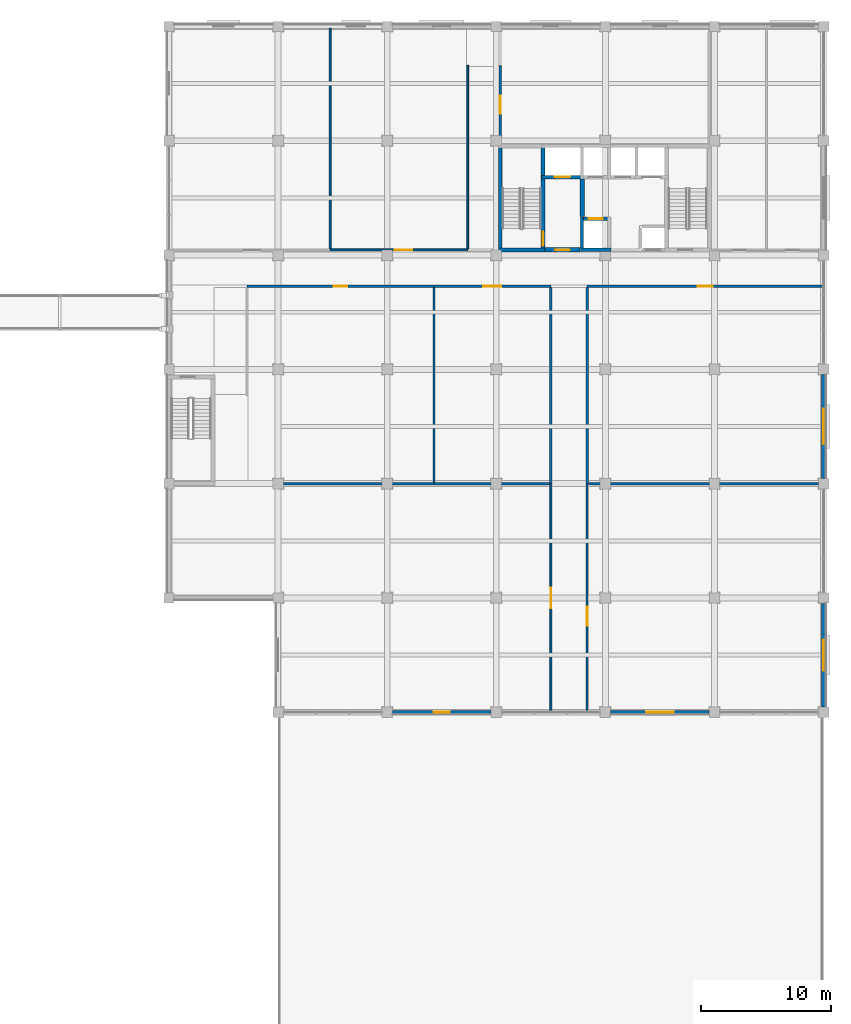
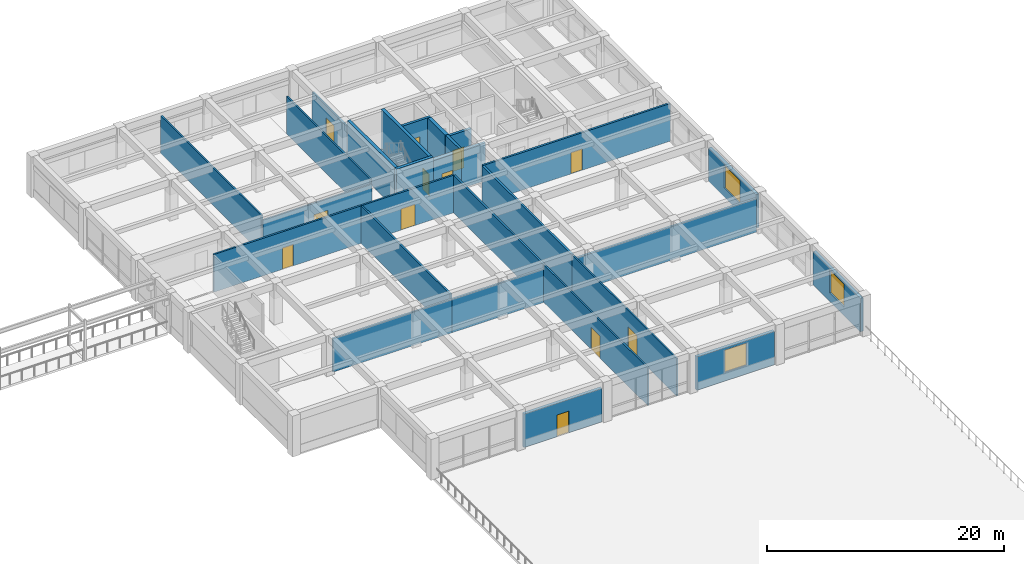
# One storey, part 39 of 57: 28 walls, 12 doors, 3 windows, 15 openings.
"""IFC4 building model written with IfcOpenShell, lengths in metres."""

from ifc_helpers import new_model, si_unit, direction, frame, frame_2d, origin, place, context, subcontext, project, spatial, rectangle, extrude, material, layer, layer_set, type_object, element, fill, save


model = new_model("IFC4")

# Units and contexts
model_context = context("Model", 3, precision=1e-05, world=origin(), true_north=direction((0.0, 1.0)))
body_context = subcontext(model_context, "Body", "Model", "MODEL_VIEW")
ifc_project = project(units=[si_unit("LENGTHUNIT", "METRE"), si_unit("AREAUNIT", "SQUARE_METRE"), si_unit("VOLUMEUNIT", "CUBIC_METRE"), si_unit("PLANEANGLEUNIT", "RADIAN"), si_unit("MASSUNIT", "GRAM", prefix="KILO")], contexts=[model_context])

# Site, building, storey
site_placement = place(None, origin())
site = spatial("IfcSite", under=ifc_project, at=site_placement, CompositionType="ELEMENT")
building_placement = place(site_placement, origin())
building = spatial("IfcBuilding", under=site, at=building_placement, Name="Kemercrest Conservatory and Botanical Centre", CompositionType="ELEMENT")
storey_placement = place(building_placement, frame((0.0, 0.0, 4.800048828125)))
storey = spatial("IfcBuildingStorey", under=building, at=storey_placement, Name="L01", CompositionType="ELEMENT", Elevation=4.800048828125)

# Wall
ifc_material_1 = material(Name="Concrete C50/60", Category="concrete")
ifc_layer_1 = layer(ifc_material_1, 0.35009765625)
ifc_layer_set_1 = layer_set([ifc_layer_1], Name="Concrete C50/60")
wall_type_1 = type_object("IfcWallType", Name="CW-CORE", PredefinedType="SHEAR", material=ifc_layer_set_1)
wall_1_placement = place(storey_placement, frame((157.39990234375, 107.75, 0.0), z_axis=(0.0, 0.0, 1.0), x_axis=(0.0, 1.0, 0.0)))
element("IfcWall", 1, at=wall_1_placement, inside=storey, type_object=wall_type_1, Name="Firefighting lift lobby 2-hour separation shear wall", PredefinedType="SHEAR", context=body_context, shape_type="SweptSolid", body=[
    extrude(rectangle(XDim=2.89990234375, YDim=0.35009765625, at=frame_2d((1.449951171875, 0.0))), origin(), (0.0, 0.0, 1.0), 3.8798828125),
])

# Wall, opening, door
wall_2_placement = place(storey_placement, frame((154.550048828125, 105.199951171875, 0.0), z_axis=(0.0, 0.0, 1.0), x_axis=(1.0, 0.0, 0.0)))
wall_2 = element("IfcWall", 2, at=wall_2_placement, inside=storey, type_object=wall_type_1, Name="Firefighting lift lobby south shear wall", PredefinedType="SHEAR", context=body_context, shape_type="SweptSolid", body=[
    extrude(rectangle(XDim=2.699951171875, YDim=0.35009765625, at=frame_2d((1.35009765625, 0.0))), origin(), (0.0, 0.0, 1.0), 3.8798828125),
])
opening_1_placement = place(wall_2_placement, frame((0.800048828125, 0.0, 0.0)))
opening_1 = element("IfcOpeningElement", 3, at=opening_1_placement, cuts=wall_2, Name="Opening D073", PredefinedType="OPENING", context=body_context, shape_type="SweptSolid", body=[
    extrude(rectangle(XDim=1.10009765625, YDim=2.199951171875, at=frame_2d((0.550048828125, 1.10009765625))), frame((0.0, 0.18505859375, 0.0), z_axis=(0.0, -1.0, 0.0), x_axis=(1.0, 0.0, 0.0)), (0.0, 0.0, 1.0), 0.3701171875),
])
ifc_material_2 = material(Name="Powder-coated galvanized steel and fire-rated vision glass", Category="steel")
door_type_1 = type_object("IfcDoorType", Name="DT-FD90", OperationType="NOTDEFINED", PredefinedType="DOOR", material=ifc_material_2)
door_1_placement = place(opening_1_placement, origin())
door_1 = element("IfcDoor", 4, at=door_1_placement, inside=storey, type_object=door_type_1, Name="Firefighting lift lobby corridor fire door D073", OperationType="SINGLE_SWING_LEFT", OverallHeight=2.199951171875, OverallWidth=1.10009765625, PredefinedType="DOOR", context=body_context, shape_type="SweptSolid", body=[
    extrude(rectangle(XDim=1.10009765625, YDim=2.199951171875, at=frame_2d((0.550048828125, 1.10009765625))), frame((0.0, 0.02490234375, 0.0), z_axis=(0.0, -1.0, 0.0), x_axis=(1.0, 0.0, 0.0)), (0.0, 0.0, 1.0), 0.050048828125),
])
fill(opening_1, door_1)

# Walls
ifc_layer_2 = layer(ifc_material_1, 0.300048828125)
ifc_layer_set_2 = layer_set([ifc_layer_2], Name="Concrete C50/60")
wall_type_2 = type_object("IfcWallType", Name="CW-STAIR", PredefinedType="SHEAR", material=ifc_layer_set_2)
wall_3_placement = place(storey_placement, frame((150.949951171875, 105.199951171875, 0.0), z_axis=(0.0, 0.0, 1.0), x_axis=(1.0, 0.0, 0.0)))
element("IfcWall", 5, at=wall_3_placement, inside=storey, type_object=wall_type_2, Name="Stair core ST-V4A shear wall S", PredefinedType="SHEAR", context=body_context, shape_type="SweptSolid", body=[
    extrude(rectangle(XDim=3.60009765625, YDim=0.300048828125, at=frame_2d((1.800048828125, 0.0))), origin(), (0.0, 0.0, 1.0), 4.199951171875),
])
wall_4_placement = place(storey_placement, frame((151.10009765625, 105.050048828125, 0.0), z_axis=(0.0, 0.0, 1.0), x_axis=(0.0, 1.0, 0.0)))
element("IfcWall", 6, at=wall_4_placement, inside=storey, type_object=wall_type_2, Name="Stair core ST-V4A shear wall W", PredefinedType="SHEAR", context=body_context, shape_type="SweptSolid", body=[
    extrude(rectangle(XDim=8.300048828125, YDim=0.300048828125, at=frame_2d((4.14990234375, 0.0))), origin(), (0.0, 0.0, 1.0), 4.199951171875),
])

# Wall, opening, door
wall_5_placement = place(storey_placement, frame((154.39990234375, 105.050048828125, 0.0), z_axis=(0.0, 0.0, 1.0), x_axis=(0.0, 1.0, 0.0)))
wall_5 = element("IfcWall", 7, at=wall_5_placement, inside=storey, type_object=wall_type_2, Name="Stair core ST-V4A shear wall E", PredefinedType="SHEAR", context=body_context, shape_type="SweptSolid", body=[
    extrude(rectangle(XDim=8.300048828125, YDim=0.300048828125, at=frame_2d((4.14990234375, 0.0))), origin(), (0.0, 0.0, 1.0), 4.199951171875),
])
opening_2_placement = place(wall_5_placement, frame((0.449951171875, 0.0, 0.0)))
opening_2 = element("IfcOpeningElement", 8, at=opening_2_placement, cuts=wall_5, Name="Opening D027", PredefinedType="OPENING", context=body_context, shape_type="SweptSolid", body=[
    extrude(rectangle(XDim=1.10009765625, YDim=2.199951171875, at=frame_2d((0.550048828125, 1.10009765625))), frame((0.0, 0.16015625, 0.0), z_axis=(0.0, -1.0, 0.0), x_axis=(1.0, 0.0, 0.0)), (0.0, 0.0, 1.0), 0.320068359375),
])
door_2_placement = place(opening_2_placement, frame((1.10009765625, 0.0, 0.0), z_axis=(0.0, 0.0, 1.0), x_axis=(-1.0, 0.0, 0.0)))
door_2 = element("IfcDoor", 9, at=door_2_placement, inside=storey, type_object=door_type_1, Name="Exit stair ST-V4A fire door D027", OperationType="SINGLE_SWING_LEFT", OverallHeight=2.199951171875, OverallWidth=1.10009765625, PredefinedType="DOOR", context=body_context, shape_type="SweptSolid", body=[
    extrude(rectangle(XDim=1.10009765625, YDim=2.199951171875, at=frame_2d((0.550048828125, 1.10009765625))), frame((0.0, 0.02490234375, 0.0), z_axis=(0.0, -1.0, 0.0), x_axis=(1.0, 0.0, 0.0)), (0.0, 0.0, 1.0), 0.050048828125),
])
fill(opening_2, door_2)

ifc_material_3 = material(Name="Precast concrete C40/50", Category="concrete")
ifc_layer_3 = layer(ifc_material_3, 0.300048828125)
ifc_layer_set_3 = layer_set([ifc_layer_3], Name="Precast concrete C40/50")
wall_type_3 = type_object("IfcWallType", Name="W-EXT300", PredefinedType="SOLIDWALL", material=ifc_layer_set_3)
wall_6_placement = place(storey_placement, frame((142.81005859375, 69.60009765625, 0.0), z_axis=(0.0, 0.0, 1.0), x_axis=(1.0, 0.0, 0.0)))
wall_6 = element("IfcWall", 10, at=wall_6_placement, inside=storey, type_object=wall_type_3, Name="Exterior almasik wall W-EXT300 (WAL:L01:EXT-176)", PredefinedType="SOLIDWALL", context=body_context, shape_type="SweptSolid", body=[
    extrude(rectangle(XDim=7.579833984375, YDim=0.300048828125, at=frame_2d((3.7900390625, 0.0))), origin(), (0.0, 0.0, 1.0), 3.449951171875),
])
opening_3_placement = place(wall_6_placement, frame((3.18994140625, 0.0, 0.0)))
opening_3 = element("IfcOpeningElement", 11, at=opening_3_placement, cuts=wall_6, Name="Opening ED040", PredefinedType="OPENING", context=body_context, shape_type="SweptSolid", body=[
    extrude(rectangle(XDim=1.199951171875, YDim=2.25, at=frame_2d((0.60009765625, 1.125))), frame((0.0, 0.16015625, 0.0), z_axis=(0.0, -1.0, 0.0), x_axis=(1.0, 0.0, 0.0)), (0.0, 0.0, 1.0), 0.320068359375),
])
ifc_material_4 = material(Name="Thermally broken bronze-anodized aluminium and laminated safety glass", Category="aluminium")
door_type_2 = type_object("IfcDoorType", Name="DT-E04", OperationType="NOTDEFINED", PredefinedType="DOOR", material=ifc_material_4)
door_3_placement = place(opening_3_placement, frame((1.199951171875, 0.0, 0.0), z_axis=(0.0, 0.0, 1.0), x_axis=(-1.0, 0.0, 0.0)))
door_3 = element("IfcDoor", 12, at=door_3_placement, inside=storey, type_object=door_type_2, Name="South-East Harbour Promenade Terrace Door", OperationType="SINGLE_SWING_LEFT", OverallHeight=2.25, OverallWidth=1.199951171875, PredefinedType="DOOR", context=body_context, shape_type="SweptSolid", body=[
    extrude(rectangle(XDim=1.199951171875, YDim=2.25, at=frame_2d((0.60009765625, 1.125))), frame((0.0, 0.02490234375, 0.0), z_axis=(0.0, -1.0, 0.0), x_axis=(1.0, 0.0, 0.0)), (0.0, 0.0, 1.0), 0.050048828125),
])
fill(opening_3, door_3)

# Wall, opening, window
wall_7_placement = place(storey_placement, frame((159.610107421875, 69.60009765625, 0.0), z_axis=(0.0, 0.0, 1.0), x_axis=(1.0, 0.0, 0.0)))
wall_7 = element("IfcWall", 13, at=wall_7_placement, inside=storey, type_object=wall_type_3, Name="Exterior almasik wall W-EXT300 (WAL:L01:EXT-177)", PredefinedType="SOLIDWALL", context=body_context, shape_type="SweptSolid", body=[
    extrude(rectangle(XDim=7.579833984375, YDim=0.300048828125, at=frame_2d((3.7900390625, 0.0))), origin(), (0.0, 0.0, 1.0), 3.449951171875),
])
opening_4_placement = place(wall_7_placement, frame((2.739990234375, 0.0, 0.89990234375)))
opening_4 = element("IfcOpeningElement", 14, at=opening_4_placement, cuts=wall_7, Name="Opening WT-16", PredefinedType="OPENING", context=body_context, shape_type="SweptSolid", body=[
    extrude(rectangle(XDim=2.10009765625, YDim=2.300048828125, at=frame_2d((1.050048828125, 1.14990234375))), frame((0.0, 0.16015625, 0.0), z_axis=(0.0, -1.0, 0.0), x_axis=(1.0, 0.0, 0.0)), (0.0, 0.0, 1.0), 0.320068359375),
])
ifc_material_5 = material(Name="Thermally broken bronze-anodized aluminium and triple glazing", Category="aluminium")
window_type_1 = type_object("IfcWindowType", Name="WT-16", PartitioningType="SINGLE_PANEL", PredefinedType="WINDOW", material=ifc_material_5)
window_1_placement = place(opening_4_placement, origin())
window_1 = element("IfcWindow", 15, at=window_1_placement, inside=storey, type_object=window_type_1, Name="Exterior window WT-16 (WIN:L01:EXT-177)", OverallHeight=2.300048828125, OverallWidth=2.10009765625, PartitioningType="SINGLE_PANEL", PredefinedType="WINDOW", context=body_context, shape_type="SweptSolid", body=[
    extrude(rectangle(XDim=2.10009765625, YDim=2.300048828125, at=frame_2d((1.050048828125, 1.14990234375))), frame((0.0, 0.030029296875, 0.0), z_axis=(0.0, -1.0, 0.0), x_axis=(1.0, 0.0, 0.0)), (0.0, 0.0, 1.0), 0.06005859375),
])
fill(opening_4, window_1)

wall_8_placement = place(storey_placement, frame((176.0, 70.010009765625, 0.0), z_axis=(0.0, 0.0, 1.0), x_axis=(0.0, 1.0, 0.0)))
wall_8 = element("IfcWall", 16, at=wall_8_placement, inside=storey, type_object=wall_type_3, Name="Exterior almasik wall W-EXT300 (WAL:L01:EXT-178)", PredefinedType="SOLIDWALL", context=body_context, shape_type="SweptSolid", body=[
    extrude(rectangle(XDim=7.97998046875, YDim=0.300048828125, at=frame_2d((3.989990234375, 0.0))), origin(), (0.0, 0.0, 1.0), 3.449951171875),
])
opening_5_placement = place(wall_8_placement, frame((2.7900390625, 0.0, 0.89990234375)))
opening_5 = element("IfcOpeningElement", 17, at=opening_5_placement, cuts=wall_8, Name="Opening WT-17", PredefinedType="OPENING", context=body_context, shape_type="SweptSolid", body=[
    extrude(rectangle(XDim=2.39990234375, YDim=2.35009765625, at=frame_2d((1.199951171875, 1.175048828125))), frame((0.0, 0.16015625, 0.0), z_axis=(0.0, -1.0, 0.0), x_axis=(1.0, 0.0, 0.0)), (0.0, 0.0, 1.0), 0.320068359375),
])
window_type_2 = type_object("IfcWindowType", Name="WT-17", PartitioningType="SINGLE_PANEL", PredefinedType="WINDOW", material=ifc_material_5)
window_2_placement = place(opening_5_placement, origin())
window_2 = element("IfcWindow", 18, at=window_2_placement, inside=storey, type_object=window_type_2, Name="Exterior window WT-17 (WIN:L01:EXT-178)", OverallHeight=2.35009765625, OverallWidth=2.39990234375, PartitioningType="SINGLE_PANEL", PredefinedType="WINDOW", context=body_context, shape_type="SweptSolid", body=[
    extrude(rectangle(XDim=2.39990234375, YDim=2.35009765625, at=frame_2d((1.199951171875, 1.175048828125))), frame((0.0, 0.030029296875, 0.0), z_axis=(0.0, -1.0, 0.0), x_axis=(1.0, 0.0, 0.0)), (0.0, 0.0, 1.0), 0.06005859375),
])
fill(opening_5, window_2)

wall_9_placement = place(storey_placement, frame((176.0, 87.610107421875, 0.0), z_axis=(0.0, 0.0, 1.0), x_axis=(0.0, 1.0, 0.0)))
wall_9 = element("IfcWall", 19, at=wall_9_placement, inside=storey, type_object=wall_type_3, Name="Exterior almasik wall W-EXT300 (WAL:L01:EXT-179)", PredefinedType="SOLIDWALL", context=body_context, shape_type="SweptSolid", body=[
    extrude(rectangle(XDim=7.97998046875, YDim=0.300048828125, at=frame_2d((3.989990234375, 0.0))), origin(), (0.0, 0.0, 1.0), 3.449951171875),
])
opening_6_placement = place(wall_9_placement, frame((2.639892578125, 0.0, 0.89990234375)))
opening_6 = element("IfcOpeningElement", 20, at=opening_6_placement, cuts=wall_9, Name="Opening WT-18", PredefinedType="OPENING", context=body_context, shape_type="SweptSolid", body=[
    extrude(rectangle(XDim=2.699951171875, YDim=2.35009765625, at=frame_2d((1.35009765625, 1.175048828125))), frame((0.0, 0.16015625, 0.0), z_axis=(0.0, -1.0, 0.0), x_axis=(1.0, 0.0, 0.0)), (0.0, 0.0, 1.0), 0.320068359375),
])
window_type_3 = type_object("IfcWindowType", Name="WT-18", PartitioningType="SINGLE_PANEL", PredefinedType="WINDOW", material=ifc_material_5)
window_3_placement = place(opening_6_placement, origin())
window_3 = element("IfcWindow", 21, at=window_3_placement, inside=storey, type_object=window_type_3, Name="Exterior window WT-18 (WIN:L01:EXT-179)", OverallHeight=2.35009765625, OverallWidth=2.699951171875, PartitioningType="SINGLE_PANEL", PredefinedType="WINDOW", context=body_context, shape_type="SweptSolid", body=[
    extrude(rectangle(XDim=2.699951171875, YDim=2.35009765625, at=frame_2d((1.35009765625, 1.175048828125))), frame((0.0, 0.030029296875, 0.0), z_axis=(0.0, -1.0, 0.0), x_axis=(1.0, 0.0, 0.0)), (0.0, 0.0, 1.0), 0.06005859375),
])
fill(opening_6, window_3)

# Wall, opening, door
ifc_material_6 = material(Name="Concrete C40/50", Category="concrete")
ifc_layer_4 = layer(ifc_material_6, 0.199951171875)
ifc_layer_set_4 = layer_set([ifc_layer_4], Name="Concrete C40/50")
wall_type_4 = type_object("IfcWallType", Name="W-FIRE", PredefinedType="PARTITIONING", material=ifc_layer_set_4)
wall_10_placement = place(storey_placement, frame((157.800048828125, 102.39990234375, 0.0), z_axis=(0.0, 0.0, 1.0), x_axis=(1.0, 0.0, 0.0)))
wall_10 = element("IfcWall", 22, at=wall_10_placement, inside=storey, type_object=wall_type_4, Name="Interior partition W-FIRE #81", PredefinedType="PARTITIONING", context=body_context, shape_type="SweptSolid", body=[
    extrude(rectangle(XDim=18.199951171875, YDim=0.199951171875, at=frame_2d((9.10009765625, 0.0))), origin(), (0.0, 0.0, 1.0), 3.864990234375),
])
opening_7_placement = place(wall_10_placement, frame((8.52490234375, 0.0, 0.0)))
opening_7 = element("IfcOpeningElement", 23, at=opening_7_placement, cuts=wall_10, Name="Opening D157", PredefinedType="OPENING", context=body_context, shape_type="SweptSolid", body=[
    extrude(rectangle(XDim=1.14990234375, YDim=2.199951171875, at=frame_2d((0.574951171875, 1.10009765625))), frame((0.0, 0.10986328125, 0.0), z_axis=(0.0, -1.0, 0.0), x_axis=(1.0, 0.0, 0.0)), (0.0, 0.0, 1.0), 0.219970703125),
])
door_type_3 = type_object("IfcDoorType", Name="DT-FD60", OperationType="NOTDEFINED", PredefinedType="DOOR", material=ifc_material_2)
door_4_placement = place(opening_7_placement, origin())
door_4 = element("IfcDoor", 24, at=door_4_placement, inside=storey, type_object=door_type_3, Name="Plant Physiology Research Laboratory door D157", OperationType="SINGLE_SWING_LEFT", OverallHeight=2.199951171875, OverallWidth=1.14990234375, PredefinedType="DOOR", context=body_context, shape_type="SweptSolid", body=[
    extrude(rectangle(XDim=1.14990234375, YDim=2.199951171875, at=frame_2d((0.574951171875, 1.10009765625))), frame((0.0, 0.02490234375, 0.0), z_axis=(0.0, -1.0, 0.0), x_axis=(1.0, 0.0, 0.0)), (0.0, 0.0, 1.0), 0.050048828125),
])
fill(opening_7, door_4)

# Walls
wall_11_placement = place(storey_placement, frame((157.800048828125, 87.199951171875, 0.0), z_axis=(0.0, 0.0, 1.0), x_axis=(0.0, 1.0, 0.0)))
element("IfcWall", 25, at=wall_11_placement, inside=storey, type_object=wall_type_4, Name="Interior partition W-FIRE #90", PredefinedType="PARTITIONING", context=body_context, shape_type="SweptSolid", body=[
    extrude(rectangle(XDim=15.094970703125, YDim=0.199951171875, at=frame_2d((7.54736328125, 0.0))), origin(), (0.0, 0.0, 1.0), 3.864990234375),
])
wall_12_placement = place(storey_placement, frame((157.905029296875, 87.199951171875, 0.0), z_axis=(0.0, 0.0, 1.0), x_axis=(1.0, 0.0, 0.0)))
element("IfcWall", 26, at=wall_12_placement, inside=storey, type_object=wall_type_4, Name="Interior partition W-FIRE #99", PredefinedType="PARTITIONING", context=body_context, shape_type="SweptSolid", body=[
    extrude(rectangle(XDim=17.695068359375, YDim=0.199951171875, at=frame_2d((8.84765625, 0.0))), origin(), (0.0, 0.0, 1.0), 3.445068359375),
])

# Wall, opening, door
ifc_material_7 = material(Name="Steel-stud gypsum board partition", Category="steel")
ifc_layer_5 = layer(ifc_material_7, 0.14990234375)
ifc_layer_set_5 = layer_set([ifc_layer_5], Name="Steel-stud gypsum board partition")
wall_type_5 = type_object("IfcWallType", Name="W-PART150", PredefinedType="PARTITIONING", material=ifc_layer_set_5)
wall_13_placement = place(storey_placement, frame((138.0, 105.199951171875, 0.0), z_axis=(0.0, 0.0, 1.0), x_axis=(1.0, 0.0, 0.0)))
wall_13 = element("IfcWall", 27, at=wall_13_placement, inside=storey, type_object=wall_type_5, Name="Interior partition W-PART150 #83", PredefinedType="PARTITIONING", context=body_context, shape_type="SweptSolid", body=[
    extrude(rectangle(XDim=10.60009765625, YDim=0.14990234375, at=frame_2d((5.300048828125, 0.0))), origin(), (0.0, 0.0, 1.0), 3.445068359375),
])
opening_8_placement = place(wall_13_placement, frame((4.969970703125, 0.0, 0.0)))
opening_8 = element("IfcOpeningElement", 28, at=opening_8_placement, cuts=wall_13, Name="Opening D159", PredefinedType="OPENING", context=body_context, shape_type="SweptSolid", body=[
    extrude(rectangle(XDim=1.360107421875, YDim=2.260009765625, at=frame_2d((0.68017578125, 1.1298828125))), frame((0.0, 0.0849609375, 0.0), z_axis=(0.0, -1.0, 0.0), x_axis=(1.0, 0.0, 0.0)), (0.0, 0.0, 1.0), 0.169921875),
])
ifc_material_8 = material(Name="FSC solid-core white oak veneer and anodized aluminium frame", Category="aluminium")
door_type_4 = type_object("IfcDoorType", Name="DT-39", OperationType="DOUBLE_DOOR_SINGLE_SWING", PredefinedType="DOOR", material=ifc_material_8)
door_5_placement = place(opening_8_placement, origin())
door_5 = element("IfcDoor", 29, at=door_5_placement, inside=storey, type_object=door_type_4, Name="Microscopy Studio door D159", OperationType="DOUBLE_DOOR_SINGLE_SWING", OverallHeight=2.260009765625, OverallWidth=1.360107421875, PredefinedType="DOOR", context=body_context, shape_type="SweptSolid", body=[
    extrude(rectangle(XDim=1.360107421875, YDim=2.260009765625, at=frame_2d((0.68017578125, 1.1298828125))), frame((0.0, 0.02490234375, 0.0), z_axis=(0.0, -1.0, 0.0), x_axis=(1.0, 0.0, 0.0)), (0.0, 0.0, 1.0), 0.050048828125),
])
fill(opening_8, door_5)

wall_14_placement = place(storey_placement, frame((155.0, 69.60009765625, 0.0), z_axis=(0.0, 0.0, 1.0), x_axis=(0.0, 1.0, 0.0)))
wall_14 = element("IfcWall", 30, at=wall_14_placement, inside=storey, type_object=wall_type_5, Name="Interior partition W-PART150 #87", PredefinedType="PARTITIONING", context=body_context, shape_type="SweptSolid", body=[
    extrude(rectangle(XDim=17.599853515625, YDim=0.14990234375, at=frame_2d((8.7998046875, 0.0))), origin(), (0.0, 0.0, 1.0), 3.864990234375),
])
opening_9_placement = place(wall_14_placement, frame((8.010009765625, 0.0, 0.0)))
opening_9 = element("IfcOpeningElement", 31, at=opening_9_placement, cuts=wall_14, Name="Opening D162", PredefinedType="OPENING", context=body_context, shape_type="SweptSolid", body=[
    extrude(rectangle(XDim=1.580078125, YDim=2.25, at=frame_2d((0.7900390625, 1.125))), frame((0.0, 0.0849609375, 0.0), z_axis=(0.0, -1.0, 0.0), x_axis=(1.0, 0.0, 0.0)), (0.0, 0.0, 1.0), 0.169921875),
])
door_type_5 = type_object("IfcDoorType", Name="DT-10", OperationType="DOUBLE_DOOR_SINGLE_SWING", PredefinedType="DOOR", material=ifc_material_8)
door_6_placement = place(opening_9_placement, origin())
door_6 = element("IfcDoor", 32, at=door_6_placement, inside=storey, type_object=door_type_5, Name="Botanical Exhibition Gallery door D162", OperationType="DOUBLE_DOOR_SINGLE_SWING", OverallHeight=2.25, OverallWidth=1.580078125, PredefinedType="DOOR", context=body_context, shape_type="SweptSolid", body=[
    extrude(rectangle(XDim=1.580078125, YDim=2.25, at=frame_2d((0.7900390625, 1.125))), frame((0.0, 0.02490234375, 0.0), z_axis=(0.0, -1.0, 0.0), x_axis=(1.0, 0.0, 0.0)), (0.0, 0.0, 1.0), 0.050048828125),
])
fill(opening_9, door_6)

wall_15_placement = place(storey_placement, frame((157.800048828125, 69.60009765625, 0.0), z_axis=(0.0, 0.0, 1.0), x_axis=(0.0, 1.0, 0.0)))
wall_15 = element("IfcWall", 33, at=wall_15_placement, inside=storey, type_object=wall_type_5, Name="Interior partition W-PART150 #88", PredefinedType="PARTITIONING", context=body_context, shape_type="SweptSolid", body=[
    extrude(rectangle(XDim=17.599853515625, YDim=0.14990234375, at=frame_2d((8.7998046875, 0.0))), origin(), (0.0, 0.0, 1.0), 3.864990234375),
])
opening_10_placement = place(wall_15_placement, frame((6.659912109375, 0.0, 0.0)))
opening_10 = element("IfcOpeningElement", 34, at=opening_10_placement, cuts=wall_15, Name="Opening D163", PredefinedType="OPENING", context=body_context, shape_type="SweptSolid", body=[
    extrude(rectangle(XDim=1.47998046875, YDim=2.199951171875, at=frame_2d((0.739990234375, 1.10009765625))), frame((0.0, 0.0849609375, 0.0), z_axis=(0.0, -1.0, 0.0), x_axis=(1.0, 0.0, 0.0)), (0.0, 0.0, 1.0), 0.169921875),
])
door_type_6 = type_object("IfcDoorType", Name="DT-09", OperationType="DOUBLE_DOOR_SINGLE_SWING", PredefinedType="DOOR", material=ifc_material_8)
door_7_placement = place(opening_10_placement, origin())
door_7 = element("IfcDoor", 35, at=door_7_placement, inside=storey, type_object=door_type_6, Name="Botanical Seminar Hall door D163", OperationType="DOUBLE_DOOR_SINGLE_SWING", OverallHeight=2.199951171875, OverallWidth=1.47998046875, PredefinedType="DOOR", context=body_context, shape_type="SweptSolid", body=[
    extrude(rectangle(XDim=1.47998046875, YDim=2.199951171875, at=frame_2d((0.739990234375, 1.10009765625))), frame((0.0, 0.02490234375, 0.0), z_axis=(0.0, -1.0, 0.0), x_axis=(1.0, 0.0, 0.0)), (0.0, 0.0, 1.0), 0.050048828125),
])
fill(opening_10, door_7)

# Walls
wall_16_placement = place(storey_placement, frame((148.60009765625, 105.280029296875, 0.0), z_axis=(0.0, 0.0, 1.0), x_axis=(0.0, 1.0, 0.0)))
element("IfcWall", 36, at=wall_16_placement, inside=storey, type_object=wall_type_5, Name="Interior partition W-PART150 #91", PredefinedType="PARTITIONING", context=body_context, shape_type="SweptSolid", body=[
    extrude(rectangle(XDim=14.119873046875, YDim=0.14990234375, at=frame_2d((7.06005859375, 0.0))), origin(), (0.0, 0.0, 1.0), 3.864990234375),
])
wall_17_placement = place(storey_placement, frame((138.0, 105.280029296875, 0.0), z_axis=(0.0, 0.0, 1.0), x_axis=(0.0, 1.0, 0.0)))
element("IfcWall", 37, at=wall_17_placement, inside=storey, type_object=wall_type_5, Name="Interior partition W-PART150 #101", PredefinedType="PARTITIONING", context=body_context, shape_type="SweptSolid", body=[
    extrude(rectangle(XDim=16.965087890625, YDim=0.14990234375, at=frame_2d((8.482421875, 0.0))), origin(), (0.0, 0.0, 1.0), 3.864990234375),
])

# Wall, opening, door
ifc_material_9 = material(Name="Acoustic steel-stud gypsum board assembly", Category="steel")
ifc_layer_6 = layer(ifc_material_9, 0.179931640625)
ifc_layer_set_6 = layer_set([ifc_layer_6], Name="Acoustic steel-stud gypsum board assembly")
wall_type_6 = type_object("IfcWallType", Name="W-PART180", PredefinedType="PARTITIONING", material=ifc_layer_set_6)
wall_18_placement = place(storey_placement, frame((131.60009765625, 102.39990234375, 0.0), z_axis=(0.0, 0.0, 1.0), x_axis=(1.0, 0.0, 0.0)))
wall_18 = element("IfcWall", 38, at=wall_18_placement, inside=storey, type_object=wall_type_6, Name="Interior partition W-PART180 #79", PredefinedType="PARTITIONING", context=body_context, shape_type="SweptSolid", body=[
    extrude(rectangle(XDim=14.39990234375, YDim=0.179931640625, at=frame_2d((7.199951171875, 0.0))), origin(), (0.0, 0.0, 1.0), 3.864990234375),
])
opening_11_placement = place(wall_18_placement, frame((6.669921875, 0.0, 0.0)))
opening_11 = element("IfcOpeningElement", 39, at=opening_11_placement, cuts=wall_18, Name="Opening D155", PredefinedType="OPENING", context=body_context, shape_type="SweptSolid", body=[
    extrude(rectangle(XDim=1.06005859375, YDim=2.219970703125, at=frame_2d((0.530029296875, 1.10986328125))), frame((0.0, 0.10009765625, 0.0), z_axis=(0.0, -1.0, 0.0), x_axis=(1.0, 0.0, 0.0)), (0.0, 0.0, 1.0), 0.199951171875),
])
door_type_7 = type_object("IfcDoorType", Name="DT-35", OperationType="NOTDEFINED", PredefinedType="DOOR", material=ifc_material_8)
door_8_placement = place(opening_11_placement, origin())
door_8 = element("IfcDoor", 40, at=door_8_placement, inside=storey, type_object=door_type_7, Name="Wet Botanical Research Laboratory door D155", OperationType="SINGLE_SWING_LEFT", OverallHeight=2.219970703125, OverallWidth=1.06005859375, PredefinedType="DOOR", context=body_context, shape_type="SweptSolid", body=[
    extrude(rectangle(XDim=1.06005859375, YDim=2.219970703125, at=frame_2d((0.530029296875, 1.10986328125))), frame((0.0, 0.02490234375, 0.0), z_axis=(0.0, -1.0, 0.0), x_axis=(1.0, 0.0, 0.0)), (0.0, 0.0, 1.0), 0.050048828125),
])
fill(opening_11, door_8)

wall_19_placement = place(storey_placement, frame((146.0, 102.39990234375, 0.0), z_axis=(0.0, 0.0, 1.0), x_axis=(1.0, 0.0, 0.0)))
wall_19 = element("IfcWall", 41, at=wall_19_placement, inside=storey, type_object=wall_type_6, Name="Interior partition W-PART180 #80", PredefinedType="PARTITIONING", context=body_context, shape_type="SweptSolid", body=[
    extrude(rectangle(XDim=9.0, YDim=0.179931640625, at=frame_2d((4.5, 0.0))), origin(), (0.0, 0.0, 1.0), 3.864990234375),
])
opening_12_placement = place(wall_19_placement, frame((3.81005859375, 0.0, 0.0)))
opening_12 = element("IfcOpeningElement", 42, at=opening_12_placement, cuts=wall_19, Name="Opening D156", PredefinedType="OPENING", context=body_context, shape_type="SweptSolid", body=[
    extrude(rectangle(XDim=1.3798828125, YDim=2.199951171875, at=frame_2d((0.68994140625, 1.10009765625))), frame((0.0, 0.10009765625, 0.0), z_axis=(0.0, -1.0, 0.0), x_axis=(1.0, 0.0, 0.0)), (0.0, 0.0, 1.0), 0.199951171875),
])
door_type_8 = type_object("IfcDoorType", Name="DT-08", OperationType="DOUBLE_DOOR_SINGLE_SWING", PredefinedType="DOOR", material=ifc_material_8)
door_9_placement = place(opening_12_placement, origin())
door_9 = element("IfcDoor", 43, at=door_9_placement, inside=storey, type_object=door_type_8, Name="Analytical Chemistry Laboratory door D156", OperationType="DOUBLE_DOOR_SINGLE_SWING", OverallHeight=2.199951171875, OverallWidth=1.3798828125, PredefinedType="DOOR", context=body_context, shape_type="SweptSolid", body=[
    extrude(rectangle(XDim=1.3798828125, YDim=2.199951171875, at=frame_2d((0.68994140625, 1.10009765625))), frame((0.0, 0.02490234375, 0.0), z_axis=(0.0, -1.0, 0.0), x_axis=(1.0, 0.0, 0.0)), (0.0, 0.0, 1.0), 0.050048828125),
])
fill(opening_12, door_9)

# Wall
wall_20_placement = place(storey_placement, frame((155.0, 87.199951171875, 0.0), z_axis=(0.0, 0.0, 1.0), x_axis=(0.0, 1.0, 0.0)))
element("IfcWall", 44, at=wall_20_placement, inside=storey, type_object=wall_type_6, Name="Interior partition W-PART180 #89", PredefinedType="PARTITIONING", context=body_context, shape_type="SweptSolid", body=[
    extrude(rectangle(XDim=15.10498046875, YDim=0.179931640625, at=frame_2d((7.552490234375, 0.0))), origin(), (0.0, 0.0, 1.0), 3.864990234375),
])

# Wall, opening, door
wall_21_placement = place(storey_placement, frame((151.10009765625, 113.35498046875, 0.0), z_axis=(0.0, 0.0, 1.0), x_axis=(0.0, 1.0, 0.0)))
wall_21 = element("IfcWall", 45, at=wall_21_placement, inside=storey, type_object=wall_type_6, Name="Interior partition W-PART180 #92", PredefinedType="PARTITIONING", context=body_context, shape_type="SweptSolid", body=[
    extrude(rectangle(XDim=6.044921875, YDim=0.179931640625, at=frame_2d((3.0224609375, 0.0))), origin(), (0.0, 0.0, 1.0), 3.445068359375),
])
opening_13_placement = place(wall_21_placement, frame((2.33251953125, 0.0, 0.0)))
opening_13 = element("IfcOpeningElement", 46, at=opening_13_placement, cuts=wall_21, Name="Opening D164", PredefinedType="OPENING", context=body_context, shape_type="SweptSolid", body=[
    extrude(rectangle(XDim=1.3798828125, YDim=2.199951171875, at=frame_2d((0.68994140625, 1.10009765625))), frame((0.0, 0.10009765625, 0.0), z_axis=(0.0, -1.0, 0.0), x_axis=(1.0, 0.0, 0.0)), (0.0, 0.0, 1.0), 0.199951171875),
])
door_10_placement = place(opening_13_placement, origin())
door_10 = element("IfcDoor", 47, at=door_10_placement, inside=storey, type_object=door_type_8, Name="Reagent Preparation Laboratory door D164", OperationType="DOUBLE_DOOR_SINGLE_SWING", OverallHeight=2.199951171875, OverallWidth=1.3798828125, PredefinedType="DOOR", context=body_context, shape_type="SweptSolid", body=[
    extrude(rectangle(XDim=1.3798828125, YDim=2.199951171875, at=frame_2d((0.68994140625, 1.10009765625))), frame((0.0, 0.02490234375, 0.0), z_axis=(0.0, -1.0, 0.0), x_axis=(1.0, 0.0, 0.0)), (0.0, 0.0, 1.0), 0.050048828125),
])
fill(opening_13, door_10)

# Walls
wall_22_placement = place(storey_placement, frame((134.39990234375, 87.199951171875, 0.0), z_axis=(0.0, 0.0, 1.0), x_axis=(1.0, 0.0, 0.0)))
element("IfcWall", 48, at=wall_22_placement, inside=storey, type_object=wall_type_6, Name="Interior partition W-PART180 #97", PredefinedType="PARTITIONING", context=body_context, shape_type="SweptSolid", body=[
    extrude(rectangle(XDim=11.60009765625, YDim=0.179931640625, at=frame_2d((5.800048828125, 0.0))), origin(), (0.0, 0.0, 1.0), 3.445068359375),
])
wall_23_placement = place(storey_placement, frame((146.0, 87.199951171875, 0.0), z_axis=(0.0, 0.0, 1.0), x_axis=(1.0, 0.0, 0.0)))
element("IfcWall", 49, at=wall_23_placement, inside=storey, type_object=wall_type_6, Name="Interior partition W-PART180 #98", PredefinedType="PARTITIONING", context=body_context, shape_type="SweptSolid", body=[
    extrude(rectangle(XDim=8.905029296875, YDim=0.179931640625, at=frame_2d((4.45263671875, 0.0))), origin(), (0.0, 0.0, 1.0), 3.445068359375),
])
wall_24_placement = place(storey_placement, frame((146.0, 87.294921875, 0.0), z_axis=(0.0, 0.0, 1.0), x_axis=(0.0, 1.0, 0.0)))
element("IfcWall", 50, at=wall_24_placement, inside=storey, type_object=wall_type_6, Name="Interior partition W-PART180 #100", PredefinedType="PARTITIONING", context=body_context, shape_type="SweptSolid", body=[
    extrude(rectangle(XDim=15.010009765625, YDim=0.179931640625, at=frame_2d((7.5048828125, 0.0))), origin(), (0.0, 0.0, 1.0), 3.864990234375),
])

# Wall, opening, door
ifc_layer_7 = layer(ifc_material_6, 0.25)
ifc_layer_set_7 = layer_set([ifc_layer_7], Name="Concrete C40/50")
wall_type_7 = type_object("IfcWallType", Name="W-SHFT250", PredefinedType="SOLIDWALL", material=ifc_layer_set_7)
wall_25_placement = place(storey_placement, frame((154.27490234375, 110.800048828125, 0.0), z_axis=(0.0, 0.0, 1.0), x_axis=(1.0, 0.0, 0.0)))
wall_25 = element("IfcWall", 51, at=wall_25_placement, inside=storey, type_object=wall_type_7, Name="Elevator LF-FF1 shaft wall south", PredefinedType="SOLIDWALL", context=body_context, shape_type="SweptSolid", body=[
    extrude(rectangle(XDim=3.25, YDim=0.25, at=frame_2d((1.625, 0.0))), origin(), (0.0, 0.0, 1.0), 3.8798828125),
])
opening_14_placement = place(wall_25_placement, frame((1.02490234375, 0.0, 0.0)))
opening_14 = element("IfcOpeningElement", 52, at=opening_14_placement, cuts=wall_25, Name="Opening LD-003", PredefinedType="OPENING", context=body_context, shape_type="SweptSolid", body=[
    extrude(rectangle(XDim=1.199951171875, YDim=2.199951171875, at=frame_2d((0.60009765625, 1.10009765625))), frame((0.0, 0.135009765625, 0.0), z_axis=(0.0, -1.0, 0.0), x_axis=(1.0, 0.0, 0.0)), (0.0, 0.0, 1.0), 0.27001953125),
])
door_type_9 = type_object("IfcDoorType", Name="DT-LD02", OperationType="SLIDING_TO_LEFT", PredefinedType="DOOR", material=ifc_material_2)
door_11_placement = place(opening_14_placement, origin())
door_11 = element("IfcDoor", 53, at=door_11_placement, inside=storey, type_object=door_type_9, Name="Elevator LF-FF1 sliding landing door LD-003", OperationType="SLIDING_TO_LEFT", OverallHeight=2.199951171875, OverallWidth=1.199951171875, PredefinedType="DOOR", context=body_context, shape_type="SweptSolid", body=[
    extrude(rectangle(XDim=1.199951171875, YDim=2.199951171875, at=frame_2d((0.60009765625, 1.10009765625))), frame((0.0, 0.02490234375, 0.0), z_axis=(0.0, -1.0, 0.0), x_axis=(1.0, 0.0, 0.0)), (0.0, 0.0, 1.0), 0.050048828125),
])
fill(opening_14, door_11)

# Wall
wall_26_placement = place(storey_placement, frame((157.27490234375, 105.199951171875, 0.0), z_axis=(0.0, 0.0, 1.0), x_axis=(1.0, 0.0, 0.0)))
element("IfcWall", 54, at=wall_26_placement, inside=storey, type_object=wall_type_7, Name="Elevator LF-P3 shaft wall south", PredefinedType="SOLIDWALL", context=body_context, shape_type="SweptSolid", body=[
    extrude(rectangle(XDim=2.35009765625, YDim=0.25, at=frame_2d((1.175048828125, 0.0))), origin(), (0.0, 0.0, 1.0), 3.8798828125),
])

# Wall, opening, door
wall_27_placement = place(storey_placement, frame((157.27490234375, 107.60009765625, 0.0), z_axis=(0.0, 0.0, 1.0), x_axis=(1.0, 0.0, 0.0)))
wall_27 = element("IfcWall", 55, at=wall_27_placement, inside=storey, type_object=wall_type_7, Name="Elevator LF-P3 shaft wall north", PredefinedType="SOLIDWALL", context=body_context, shape_type="SweptSolid", body=[
    extrude(rectangle(XDim=2.35009765625, YDim=0.25, at=frame_2d((1.175048828125, 0.0))), origin(), (0.0, 0.0, 1.0), 3.8798828125),
])
opening_15_placement = place(wall_27_placement, frame((0.625, 0.0, 0.0)))
opening_15 = element("IfcOpeningElement", 56, at=opening_15_placement, cuts=wall_27, Name="Opening LD-059", PredefinedType="OPENING", context=body_context, shape_type="SweptSolid", body=[
    extrude(rectangle(XDim=1.10009765625, YDim=2.199951171875, at=frame_2d((0.550048828125, 1.10009765625))), frame((0.0, 0.135009765625, 0.0), z_axis=(0.0, -1.0, 0.0), x_axis=(1.0, 0.0, 0.0)), (0.0, 0.0, 1.0), 0.27001953125),
])
door_type_10 = type_object("IfcDoorType", Name="DT-LD01", OperationType="SLIDING_TO_LEFT", PredefinedType="DOOR", material=ifc_material_2)
door_12_placement = place(opening_15_placement, origin())
door_12 = element("IfcDoor", 57, at=door_12_placement, inside=storey, type_object=door_type_10, Name="Elevator LF-P3 sliding landing door LD-059", OperationType="SLIDING_TO_LEFT", OverallHeight=2.199951171875, OverallWidth=1.10009765625, PredefinedType="DOOR", context=body_context, shape_type="SweptSolid", body=[
    extrude(rectangle(XDim=1.10009765625, YDim=2.199951171875, at=frame_2d((0.550048828125, 1.10009765625))), frame((0.0, 0.02490234375, 0.0), z_axis=(0.0, -1.0, 0.0), x_axis=(1.0, 0.0, 0.0)), (0.0, 0.0, 1.0), 0.050048828125),
])
fill(opening_15, door_12)

# Wall
wall_28_placement = place(storey_placement, frame((157.39990234375, 105.074951171875, 0.0), z_axis=(0.0, 0.0, 1.0), x_axis=(0.0, 1.0, 0.0)))
element("IfcWall", 58, at=wall_28_placement, inside=storey, type_object=wall_type_7, Name="Elevator LF-P3 shaft wall west", PredefinedType="SOLIDWALL", context=body_context, shape_type="SweptSolid", body=[
    extrude(rectangle(XDim=2.650146484375, YDim=0.25, at=frame_2d((1.3251953125, 0.0))), origin(), (0.0, 0.0, 1.0), 3.8798828125),
])

save(model, "model.ifc")
